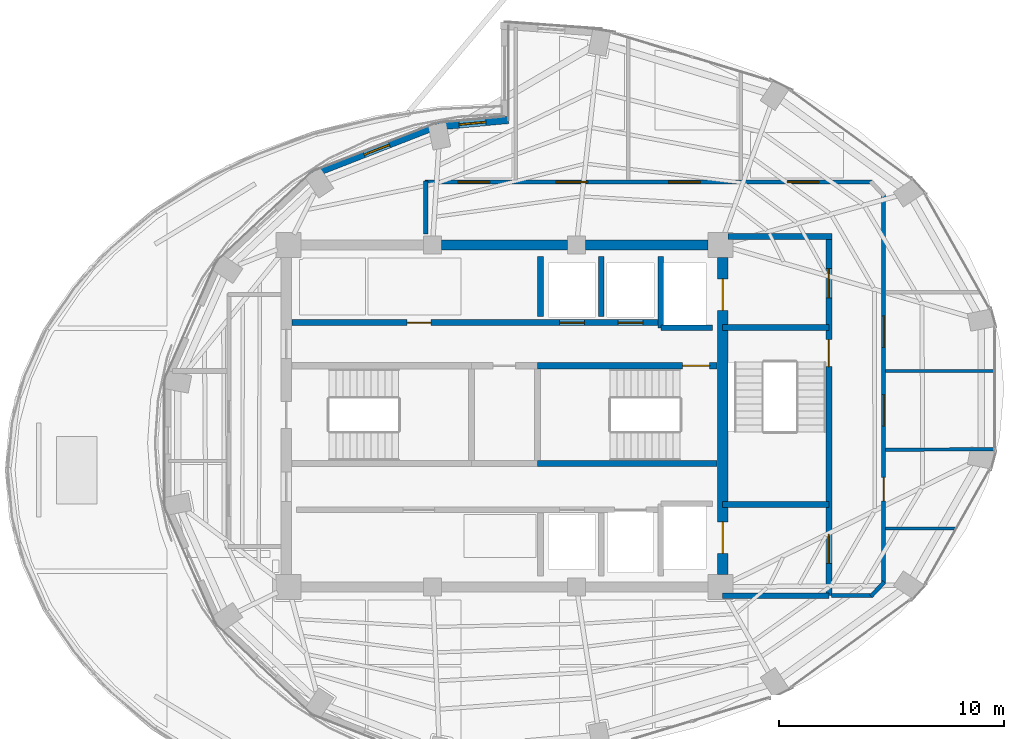
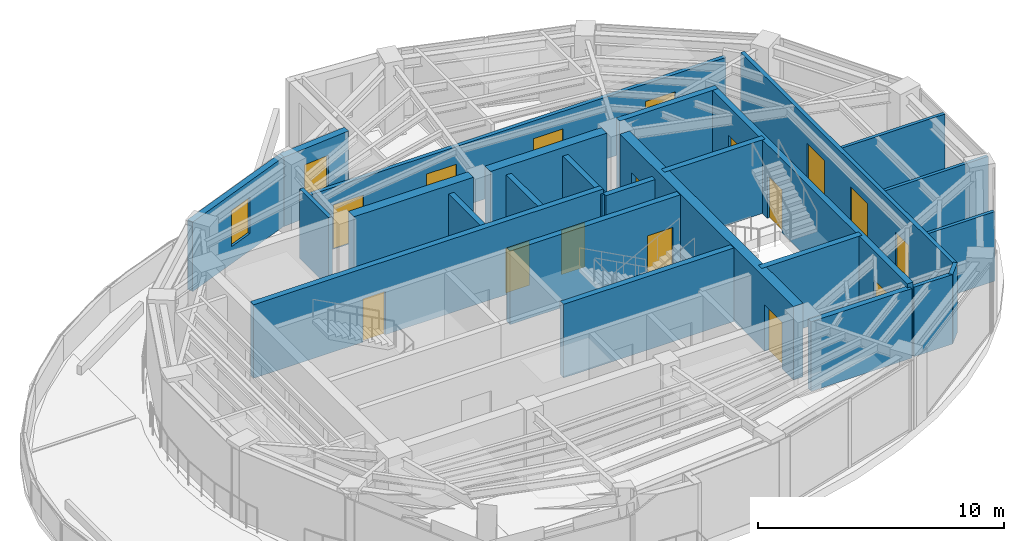
# One storey, part 10 of 15: 25 walls, 16 doors, 2 windows, 18 openings.
"""IFC4 building model written with IfcOpenShell, lengths in metres."""

from ifc_helpers import new_model, si_unit, direction, frame, frame_2d, origin, place, context, subcontext, project, spatial, rectangle, extrude, material, layer, layer_set, type_object, element, fill, save


model = new_model("IFC4")

# Units and contexts
model_context = context("Model", 3, precision=1e-05, world=origin(), true_north=direction((0.0, 1.0)))
body_context = subcontext(model_context, "Body", "Model", "MODEL_VIEW")
ifc_project = project(units=[si_unit("LENGTHUNIT", "METRE"), si_unit("AREAUNIT", "SQUARE_METRE"), si_unit("VOLUMEUNIT", "CUBIC_METRE"), si_unit("PLANEANGLEUNIT", "RADIAN"), si_unit("MASSUNIT", "GRAM", prefix="KILO")], contexts=[model_context])

# Site, building, storey
site_placement = place(None, origin())
site = spatial("IfcSite", under=ifc_project, at=site_placement, CompositionType="ELEMENT")
building_placement = place(site_placement, origin())
building = spatial("IfcBuilding", under=site, at=building_placement, Name="Lazwardi Medical Tower", CompositionType="ELEMENT")
storey_placement = place(building_placement, frame((0.0, 0.0, 269.615966796875)))
storey = spatial("IfcBuildingStorey", under=building, at=storey_placement, Name="L70", CompositionType="ELEMENT", Elevation=269.615966796875)

# Wall
ifc_material_1 = material(Name="Fire-rated gypsum board on steel stud", Category="steel")
ifc_layer_1 = layer(ifc_material_1, 0.179931640625)
ifc_layer_set_1 = layer_set([ifc_layer_1], Name="Fire-rated gypsum board on steel stud")
wall_type_1 = type_object("IfcWallType", Name="WL-COR-180", PredefinedType="PARTITIONING", material=ifc_layer_set_1)
wall_1_placement = place(storey_placement, frame((32.5, 36.090087890625, 0.0), z_axis=(0.0, 0.0, 1.0), x_axis=(0.0, 1.0, 0.0)))
element("IfcWall", 1, at=wall_1_placement, inside=storey, type_object=wall_type_1, Name="L70 Corridor partition 1", PredefinedType="PARTITIONING", context=body_context, shape_type="SweptSolid", body=[
    extrude(rectangle(XDim=2.349853515625, YDim=0.179931640625, at=frame_2d((1.1748046875, 0.0))), origin(), (0.0, 0.0, 1.0), 3.447998046875),
])

# Wall, openings, doors
wall_2_placement = place(storey_placement, frame((32.4599609375, 38.39990234375, 0.0), z_axis=(0.0, 0.0, 1.0), x_axis=(1.0, 0.0, 0.0)))
wall_2 = element("IfcWall", 2, at=wall_2_placement, inside=storey, type_object=wall_type_1, Name="L70 Corridor partition 2", PredefinedType="PARTITIONING", context=body_context, shape_type="SweptSolid", body=[
    extrude(rectangle(XDim=19.879150390625, YDim=0.179931640625, at=frame_2d((9.939453125, 0.0))), origin(), (0.0, 0.0, 1.0), 3.072998046875),
])
opening_1_placement = place(wall_2_placement, frame((16.1005859375, 0.0, 0.0)))
opening_1 = element("IfcOpeningElement", 3, at=opening_1_placement, cuts=wall_2, Name="Opening D-L70-013", PredefinedType="OPENING", context=body_context, shape_type="SweptSolid", body=[
    extrude(rectangle(XDim=1.39990234375, YDim=2.199951171875, at=frame_2d((0.699951171875, 1.10009765625))), frame((0.0, 0.099853515625, 0.0), z_axis=(0.0, -1.0, 0.0), x_axis=(1.0, 0.0, 0.0)), (0.0, 0.0, 1.0), 0.199951171875),
])
opening_2_placement = place(wall_2_placement, frame((10.840087890625, 0.0, 0.0)))
opening_2 = element("IfcOpeningElement", 4, at=opening_2_placement, cuts=wall_2, Name="Opening D-L70-014", PredefinedType="OPENING", context=body_context, shape_type="SweptSolid", body=[
    extrude(rectangle(XDim=1.39990234375, YDim=2.199951171875, at=frame_2d((0.699951171875, 1.10009765625))), frame((0.0, 0.099853515625, 0.0), z_axis=(0.0, -1.0, 0.0), x_axis=(1.0, 0.0, 0.0)), (0.0, 0.0, 1.0), 0.199951171875),
])
opening_3_placement = place(wall_2_placement, frame((5.840087890625, 0.0, 0.0)))
opening_3 = element("IfcOpeningElement", 5, at=opening_3_placement, cuts=wall_2, Name="Opening D-L70-015", PredefinedType="OPENING", context=body_context, shape_type="SweptSolid", body=[
    extrude(rectangle(XDim=1.39990234375, YDim=2.199951171875, at=frame_2d((0.699951171875, 1.10009765625))), frame((0.0, 0.099853515625, 0.0), z_axis=(0.0, -1.0, 0.0), x_axis=(1.0, 0.0, 0.0)), (0.0, 0.0, 1.0), 0.199951171875),
])
opening_4_placement = place(wall_2_placement, frame((1.47900390625, 0.0, 0.0)))
opening_4 = element("IfcOpeningElement", 6, at=opening_4_placement, cuts=wall_2, Name="Opening D-L70-016", PredefinedType="OPENING", context=body_context, shape_type="SweptSolid", body=[
    extrude(rectangle(XDim=1.39990234375, YDim=2.199951171875, at=frame_2d((0.699951171875, 1.10009765625))), frame((0.0, 0.099853515625, 0.0), z_axis=(0.0, -1.0, 0.0), x_axis=(1.0, 0.0, 0.0)), (0.0, 0.0, 1.0), 0.199951171875),
])
ifc_material_2 = material(Name="Anti-microbial laminate hospital leaf")
door_type_1 = type_object("IfcDoorType", Name="DR-BED-1400", OperationType="NOTDEFINED", PredefinedType="DOOR", material=ifc_material_2)
door_1_placement = place(opening_1_placement, origin())
door_1 = element("IfcDoor", 7, at=door_1_placement, inside=storey, type_object=door_type_1, Name="L70 Patient Bedroom Door 06", OperationType="SINGLE_SWING_LEFT", OverallHeight=2.199951171875, OverallWidth=1.39990234375, PredefinedType="DOOR", context=body_context, shape_type="SweptSolid", body=[
    extrude(rectangle(XDim=1.39990234375, YDim=2.199951171875, at=frame_2d((0.699951171875, 1.10009765625))), frame((0.0, 0.02490234375, 0.0), z_axis=(0.0, -1.0, 0.0), x_axis=(1.0, 0.0, 0.0)), (0.0, 0.0, 1.0), 0.050048828125),
])
fill(opening_1, door_1)
door_2_placement = place(opening_2_placement, origin())
door_2 = element("IfcDoor", 8, at=door_2_placement, inside=storey, type_object=door_type_1, Name="L70 Patient Bedroom Door 07", OperationType="SINGLE_SWING_RIGHT", OverallHeight=2.199951171875, OverallWidth=1.39990234375, PredefinedType="DOOR", context=body_context, shape_type="SweptSolid", body=[
    extrude(rectangle(XDim=1.39990234375, YDim=2.199951171875, at=frame_2d((0.699951171875, 1.10009765625))), frame((0.0, 0.02490234375, 0.0), z_axis=(0.0, -1.0, 0.0), x_axis=(1.0, 0.0, 0.0)), (0.0, 0.0, 1.0), 0.050048828125),
])
fill(opening_2, door_2)
door_3_placement = place(opening_3_placement, origin())
door_3 = element("IfcDoor", 9, at=door_3_placement, inside=storey, type_object=door_type_1, Name="L70 Inpatient Ward Door 08", OperationType="SINGLE_SWING_LEFT", OverallHeight=2.199951171875, OverallWidth=1.39990234375, PredefinedType="DOOR", context=body_context, shape_type="SweptSolid", body=[
    extrude(rectangle(XDim=1.39990234375, YDim=2.199951171875, at=frame_2d((0.699951171875, 1.10009765625))), frame((0.0, 0.02490234375, 0.0), z_axis=(0.0, -1.0, 0.0), x_axis=(1.0, 0.0, 0.0)), (0.0, 0.0, 1.0), 0.050048828125),
])
fill(opening_3, door_3)
door_4_placement = place(opening_4_placement, origin())
door_4 = element("IfcDoor", 10, at=door_4_placement, inside=storey, type_object=door_type_1, Name="L70 Sky Garden Lounge Door 09", OperationType="SINGLE_SWING_RIGHT", OverallHeight=2.199951171875, OverallWidth=1.39990234375, PredefinedType="DOOR", context=body_context, shape_type="SweptSolid", body=[
    extrude(rectangle(XDim=1.39990234375, YDim=2.199951171875, at=frame_2d((0.699951171875, 1.10009765625))), frame((0.0, 0.02490234375, 0.0), z_axis=(0.0, -1.0, 0.0), x_axis=(1.0, 0.0, 0.0)), (0.0, 0.0, 1.0), 0.050048828125),
])
fill(opening_4, door_4)

wall_3_placement = place(storey_placement, frame((52.85009765625, 37.85009765625, 0.0), z_axis=(0.0, 0.0, 1.0), x_axis=(0.0, -1.0, 0.0)))
wall_3 = element("IfcWall", 11, at=wall_3_placement, inside=storey, type_object=wall_type_1, Name="L70 Corridor partition 4", PredefinedType="PARTITIONING", context=body_context, shape_type="SweptSolid", body=[
    extrude(rectangle(XDim=17.30029296875, YDim=0.179931640625, at=frame_2d((8.650146484375, 0.0))), origin(), (0.0, 0.0, 1.0), 3.447998046875),
])
opening_5_placement = place(wall_3_placement, frame((12.574951171875, 0.0, 0.0)))
opening_5 = element("IfcOpeningElement", 12, at=opening_5_placement, cuts=wall_3, Name="Opening D-L70-010", PredefinedType="OPENING", context=body_context, shape_type="SweptSolid", body=[
    extrude(rectangle(XDim=1.050048828125, YDim=2.14990234375, at=frame_2d((0.52490234375, 1.074951171875))), frame((0.0, 0.099853515625, 0.0), z_axis=(0.0, -1.0, 0.0), x_axis=(1.0, 0.0, 0.0)), (0.0, 0.0, 1.0), 0.199951171875),
])
opening_6_placement = place(wall_3_placement, frame((8.89990234375, 0.0, 0.0)))
opening_6 = element("IfcOpeningElement", 13, at=opening_6_placement, cuts=wall_3, Name="Opening D-L70-011", PredefinedType="OPENING", context=body_context, shape_type="SweptSolid", body=[
    extrude(rectangle(XDim=1.39990234375, YDim=2.199951171875, at=frame_2d((0.699951171875, 1.10009765625))), frame((0.0, 0.099853515625, 0.0), z_axis=(0.0, -1.0, 0.0), x_axis=(1.0, 0.0, 0.0)), (0.0, 0.0, 1.0), 0.199951171875),
])
opening_7_placement = place(wall_3_placement, frame((5.400146484375, 0.0, 0.0)))
opening_7 = element("IfcOpeningElement", 14, at=opening_7_placement, cuts=wall_3, Name="Opening D-L70-012", PredefinedType="OPENING", context=body_context, shape_type="SweptSolid", body=[
    extrude(rectangle(XDim=1.39990234375, YDim=2.199951171875, at=frame_2d((0.699951171875, 1.10009765625))), frame((0.0, 0.099853515625, 0.0), z_axis=(0.0, -1.0, 0.0), x_axis=(1.0, 0.0, 0.0)), (0.0, 0.0, 1.0), 0.199951171875),
])
door_5_placement = place(opening_6_placement, origin())
door_5 = element("IfcDoor", 15, at=door_5_placement, inside=storey, type_object=door_type_1, Name="L70 Department Reception Foyer Door 04", OperationType="SINGLE_SWING_LEFT", OverallHeight=2.199951171875, OverallWidth=1.39990234375, PredefinedType="DOOR", context=body_context, shape_type="SweptSolid", body=[
    extrude(rectangle(XDim=1.39990234375, YDim=2.199951171875, at=frame_2d((0.699951171875, 1.10009765625))), frame((0.0, 0.02490234375, 0.0), z_axis=(0.0, -1.0, 0.0), x_axis=(1.0, 0.0, 0.0)), (0.0, 0.0, 1.0), 0.050048828125),
])
fill(opening_6, door_5)
door_6_placement = place(opening_7_placement, origin())
door_6 = element("IfcDoor", 16, at=door_6_placement, inside=storey, type_object=door_type_1, Name="L70 Outpatient Clinic Door 05", OperationType="SINGLE_SWING_RIGHT", OverallHeight=2.199951171875, OverallWidth=1.39990234375, PredefinedType="DOOR", context=body_context, shape_type="SweptSolid", body=[
    extrude(rectangle(XDim=1.39990234375, YDim=2.199951171875, at=frame_2d((0.699951171875, 1.10009765625))), frame((0.0, 0.02490234375, 0.0), z_axis=(0.0, -1.0, 0.0), x_axis=(1.0, 0.0, 0.0)), (0.0, 0.0, 1.0), 0.050048828125),
])
fill(opening_7, door_6)
door_type_2 = type_object("IfcDoorType", Name="DR-CLN-1050", OperationType="NOTDEFINED", PredefinedType="DOOR", material=ifc_material_2)
door_7_placement = place(opening_5_placement, origin())
door_7 = element("IfcDoor", 17, at=door_7_placement, inside=storey, type_object=door_type_2, Name="L70 Outpatient Clinic Door 03", OperationType="SINGLE_SWING_RIGHT", OverallHeight=2.14990234375, OverallWidth=1.050048828125, PredefinedType="DOOR", context=body_context, shape_type="SweptSolid", body=[
    extrude(rectangle(XDim=1.050048828125, YDim=2.14990234375, at=frame_2d((0.52490234375, 1.074951171875))), frame((0.0, 0.02490234375, 0.0), z_axis=(0.0, -1.0, 0.0), x_axis=(1.0, 0.0, 0.0)), (0.0, 0.0, 1.0), 0.050048828125),
])
fill(opening_5, door_7)

# Walls
wall_4_placement = place(storey_placement, frame((52.877197265625, 20.619140625, 0.0), z_axis=(0.0, 0.0, 1.0), x_axis=(-0.682409308253, -0.730970270264, 0.0)))
element("IfcWall", 18, at=wall_4_placement, inside=storey, type_object=wall_type_1, Name="L70 Corridor partition 5", PredefinedType="PARTITIONING", context=body_context, shape_type="SweptSolid", body=[
    extrude(rectangle(XDim=0.859619140625, YDim=0.179931640625, at=frame_2d((0.4296875, 0.0))), origin(), (0.0, 0.0, 1.0), 3.447998046875),
])
wall_5_placement = place(storey_placement, frame((52.35791015625, 20.02001953125, 0.0), z_axis=(0.0, 0.0, 1.0), x_axis=(-1.0, 0.0, 0.0)))
element("IfcWall", 19, at=wall_5_placement, inside=storey, type_object=wall_type_1, Name="L70 Corridor partition 6", PredefinedType="PARTITIONING", context=body_context, shape_type="SweptSolid", body=[
    extrude(rectangle(XDim=1.81787109375, YDim=0.179931640625, at=frame_2d((0.908935546875, 0.0))), origin(), (0.0, 0.0, 1.0), 3.447998046875),
])

# Wall, openings, doors
ifc_material_3 = material(Name="Concrete C60/75", Category="concrete")
ifc_layer_2 = layer(ifc_material_3, 0.449951171875)
ifc_layer_set_2 = layer_set([ifc_layer_2], Name="Concrete C60/75")
wall_type_2 = type_object("IfcWallType", Name="WL-CORE-450", PredefinedType="SHEAR", material=ifc_layer_set_2)
wall_6_placement = place(storey_placement, frame((45.699951171875, 20.949951171875, 0.0), z_axis=(0.0, 0.0, 1.0), x_axis=(0.0, 1.0, 0.0)))
wall_6 = element("IfcWall", 20, at=wall_6_placement, inside=storey, type_object=wall_type_2, Name="Core wall CW-S4 east L70", PredefinedType="SHEAR", context=body_context, shape_type="SweptSolid", body=[
    extrude(rectangle(XDim=14.10009765625, YDim=0.449951171875, at=frame_2d((7.050048828125, 0.0))), origin(), (0.0, 0.0, 1.0), 3.64794921875),
])
opening_8_placement = place(wall_6_placement, frame((11.75, 0.0, 0.0)))
opening_8 = element("IfcOpeningElement", 21, at=opening_8_placement, cuts=wall_6, Name="Opening LD-L70-001", PredefinedType="OPENING", context=body_context, shape_type="SweptSolid", body=[
    extrude(rectangle(XDim=1.39990234375, YDim=2.300048828125, at=frame_2d((0.699951171875, 1.14990234375))), frame((0.0, 0.23486328125, 0.0), z_axis=(0.0, -1.0, 0.0), x_axis=(1.0, 0.0, 0.0)), (0.0, 0.0, 1.0), 0.469970703125),
])
opening_9_placement = place(wall_6_placement, frame((0.949951171875, 0.0, 0.0)))
opening_9 = element("IfcOpeningElement", 22, at=opening_9_placement, cuts=wall_6, Name="Opening LD-L70-002", PredefinedType="OPENING", context=body_context, shape_type="SweptSolid", body=[
    extrude(rectangle(XDim=1.39990234375, YDim=2.300048828125, at=frame_2d((0.699951171875, 1.14990234375))), frame((0.0, 0.23486328125, 0.0), z_axis=(0.0, -1.0, 0.0), x_axis=(1.0, 0.0, 0.0)), (0.0, 0.0, 1.0), 0.469970703125),
])
ifc_material_4 = material(Name="Brushed stainless steel bed-lift landing door", Category="steel")
door_type_3 = type_object("IfcDoorType", Name="DR-LFT-1400", OperationType="NOTDEFINED", PredefinedType="DOOR", material=ifc_material_4)
door_8_placement = place(opening_8_placement, origin())
door_8 = element("IfcDoor", 23, at=door_8_placement, inside=storey, type_object=door_type_3, Name="L70 Lift Landing Door FL-01", OperationType="SLIDING_TO_LEFT", OverallHeight=2.300048828125, OverallWidth=1.39990234375, PredefinedType="DOOR", context=body_context, shape_type="SweptSolid", body=[
    extrude(rectangle(XDim=1.39990234375, YDim=2.300048828125, at=frame_2d((0.699951171875, 1.14990234375))), frame((0.0, 0.02490234375, 0.0), z_axis=(0.0, -1.0, 0.0), x_axis=(1.0, 0.0, 0.0)), (0.0, 0.0, 1.0), 0.050048828125),
])
fill(opening_8, door_8)
door_9_placement = place(opening_9_placement, origin())
door_9 = element("IfcDoor", 24, at=door_9_placement, inside=storey, type_object=door_type_3, Name="L70 Lift Landing Door FL-02", OperationType="SLIDING_TO_LEFT", OverallHeight=2.300048828125, OverallWidth=1.39990234375, PredefinedType="DOOR", context=body_context, shape_type="SweptSolid", body=[
    extrude(rectangle(XDim=1.39990234375, YDim=2.300048828125, at=frame_2d((0.699951171875, 1.14990234375))), frame((0.0, 0.02490234375, 0.0), z_axis=(0.0, -1.0, 0.0), x_axis=(1.0, 0.0, 0.0)), (0.0, 0.0, 1.0), 0.050048828125),
])
fill(opening_9, door_9)

# Walls
wall_7_placement = place(storey_placement, frame((33.199951171875, 35.60009765625, 0.0), z_axis=(0.0, 0.0, 1.0), x_axis=(1.0, 0.0, 0.0)))
element("IfcWall", 25, at=wall_7_placement, inside=storey, type_object=wall_type_2, Name="Core wall CW-S4 N2 L70", PredefinedType="SHEAR", context=body_context, shape_type="SweptSolid", body=[
    extrude(rectangle(XDim=5.60009765625, YDim=0.449951171875, at=frame_2d((2.800048828125, 0.0))), origin(), (0.0, 0.0, 1.0), 3.64794921875),
])
wall_8_placement = place(storey_placement, frame((39.60009765625, 35.60009765625, 0.0), z_axis=(0.0, 0.0, 1.0), x_axis=(1.0, 0.0, 0.0)))
element("IfcWall", 26, at=wall_8_placement, inside=storey, type_object=wall_type_2, Name="Core wall CW-S4 N3 L70", PredefinedType="SHEAR", context=body_context, shape_type="SweptSolid", body=[
    extrude(rectangle(XDim=5.449951171875, YDim=0.449951171875, at=frame_2d((2.72509765625, 0.0))), origin(), (0.0, 0.0, 1.0), 3.64794921875),
])

# Wall, opening, window
ifc_material_5 = material(Name="Precast concrete C45/55", Category="concrete")
ifc_layer_3 = layer(ifc_material_5, 0.280029296875)
ifc_layer_set_3 = layer_set([ifc_layer_3], Name="Precast concrete C45/55")
wall_type_3 = type_object("IfcWallType", Name="WL-DRUM-280", PredefinedType="SOLIDWALL", material=ifc_layer_set_3)
wall_9_placement = place(storey_placement, frame((33.227783203125, 40.964111328125, 0.0), z_axis=(0.0, 0.0, 1.0), x_axis=(-0.931716550814, -0.36318627306, 0.0)))
wall_9 = element("IfcWall", 27, at=wall_9_placement, inside=storey, type_object=wall_type_3, Name="L70 West Drum Precast Wall 1", PredefinedType="SOLIDWALL", context=body_context, shape_type="SweptSolid", body=[
    extrude(rectangle(XDim=6.22412109375, YDim=0.280029296875, at=frame_2d((3.112060546875, 0.0))), origin(), (0.0, 0.0, 1.0), 3.447998046875),
])
opening_10_placement = place(wall_9_placement, frame((2.511962890625, 0.0, 0.85009765625)))
opening_10 = element("IfcOpeningElement", 28, at=opening_10_placement, cuts=wall_9, Name="Opening WN-04", PredefinedType="OPENING", context=body_context, shape_type="SweptSolid", body=[
    extrude(rectangle(XDim=1.199951171875, YDim=1.800048828125, at=frame_2d((0.60009765625, 0.89990234375))), frame((0.0, 0.14990234375, 0.0), z_axis=(0.0, -1.0, 0.0), x_axis=(1.0, 0.0, 0.0)), (0.0, 0.0, 1.0), 0.300048828125),
])
ifc_material_6 = material(Name="Low-e bronze solar control double glazing", Category="glass")
window_type = type_object("IfcWindowType", Name="WIN-DRUM-1200", PartitioningType="SINGLE_PANEL", PredefinedType="WINDOW", material=ifc_material_6)
window_1_placement = place(opening_10_placement, origin())
window_1 = element("IfcWindow", 29, at=window_1_placement, inside=storey, type_object=window_type, Name="L70 West Drum Window 1", OverallHeight=1.800048828125, OverallWidth=1.199951171875, PartitioningType="SINGLE_PANEL", PredefinedType="WINDOW", context=body_context, shape_type="SweptSolid", body=[
    extrude(rectangle(XDim=1.199951171875, YDim=1.800048828125, at=frame_2d((0.60009765625, 0.89990234375))), frame((0.0, 0.030029296875, 0.0), z_axis=(0.0, -1.0, 0.0), x_axis=(1.0, 0.0, 0.0)), (0.0, 0.0, 1.0), 0.06005859375),
])
fill(opening_10, window_1)

ifc_layer_4 = layer(ifc_material_5, 0.320068359375)
ifc_layer_set_4 = layer_set([ifc_layer_4], Name="Precast concrete C45/55")
wall_type_4 = type_object("IfcWallType", Name="WL-IWAN-320", PredefinedType="SOLIDWALL", material=ifc_layer_set_4)
wall_10_placement = place(storey_placement, frame((36.178955078125, 41.156494140625, 0.0), z_axis=(0.0, 0.0, 1.0), x_axis=(-0.995736155144, -0.092247001792, 0.0)))
wall_10 = element("IfcWall", 30, at=wall_10_placement, inside=storey, type_object=wall_type_4, Name="L70 Iwan Portal Return Wall NW_ret", PredefinedType="SOLIDWALL", context=body_context, shape_type="SweptSolid", body=[
    extrude(rectangle(XDim=3.215576171875, YDim=0.320068359375, at=frame_2d((1.60791015625, 0.0))), origin(), (0.0, 0.0, 1.0), 3.447998046875),
])
opening_11_placement = place(wall_10_placement, frame((1.0078125, 0.0, 0.85009765625)))
opening_11 = element("IfcOpeningElement", 31, at=opening_11_placement, cuts=wall_10, Name="Opening WN-04", PredefinedType="OPENING", context=body_context, shape_type="SweptSolid", body=[
    extrude(rectangle(XDim=1.199951171875, YDim=1.800048828125, at=frame_2d((0.60009765625, 0.89990234375))), frame((0.0, 0.169921875, 0.0), z_axis=(0.0, -1.0, 0.0), x_axis=(1.0, 0.0, 0.0)), (0.0, 0.0, 1.0), 0.340087890625),
])
window_2_placement = place(opening_11_placement, origin())
window_2 = element("IfcWindow", 32, at=window_2_placement, inside=storey, type_object=window_type, Name="L70 Iwan Slot Window NW_ret", OverallHeight=1.800048828125, OverallWidth=1.199951171875, PartitioningType="SINGLE_PANEL", PredefinedType="WINDOW", context=body_context, shape_type="SweptSolid", body=[
    extrude(rectangle(XDim=1.199951171875, YDim=1.800048828125, at=frame_2d((0.60009765625, 0.89990234375))), frame((0.0, 0.030029296875, 0.0), z_axis=(0.0, -1.0, 0.0), x_axis=(1.0, 0.0, 0.0)), (0.0, 0.0, 1.0), 0.06005859375),
])
fill(opening_11, window_2)

# Walls
ifc_material_7 = material(Name="Autoclaved aerated concrete blockwork", Category="masonry")
ifc_layer_5 = layer(ifc_material_7, 0.25)
ifc_layer_set_5 = layer_set([ifc_layer_5], Name="Autoclaved aerated concrete blockwork")
wall_type_5 = type_object("IfcWallType", Name="WL-SHAFT-250", PredefinedType="SOLIDWALL", material=ifc_layer_set_5)
wall_11_placement = place(storey_placement, frame((42.949951171875, 31.919921875, 0.0), z_axis=(0.0, 0.0, 1.0), x_axis=(0.0, 1.0, 0.0)))
element("IfcWall", 33, at=wall_11_placement, inside=storey, type_object=wall_type_5, Name="L70 FL-01 West shaft wall", PredefinedType="SOLIDWALL", context=body_context, shape_type="SweptSolid", body=[
    extrude(rectangle(XDim=3.18017578125, YDim=0.25, at=frame_2d((1.590087890625, 0.0))), origin(), (0.0, 0.0, 1.0), 3.447998046875),
])
wall_12_placement = place(storey_placement, frame((42.949951171875, 31.919921875, 0.0), z_axis=(0.0, 0.0, 1.0), x_axis=(1.0, 0.0, 0.0)))
element("IfcWall", 34, at=wall_12_placement, inside=storey, type_object=wall_type_5, Name="L70 FL-01 South shaft wall", PredefinedType="SOLIDWALL", context=body_context, shape_type="SweptSolid", body=[
    extrude(rectangle(XDim=2.300048828125, YDim=0.25, at=frame_2d((1.14990234375, 0.0))), origin(), (0.0, 0.0, 1.0), 3.447998046875),
])
for number, where, z_axis, x_axis, name in (
    (35, (37.60009765625, 32.419921875, 0.0), (0.0, 0.0, 1.0), (0.0, 1.0, 0.0), "L70 North hoistway divider"),
    (36, (40.300048828125, 32.419921875, 0.0), (0.0, 0.0, 1.0), (0.0, 1.0, 0.0), "L70 North hoistway divider"),
):
    element("IfcWall", number, at=place(storey_placement, frame(where, z_axis=z_axis, x_axis=x_axis)), inside=storey, type_object=wall_type_5, Name=name, PredefinedType="SOLIDWALL", context=body_context, shape_type="SweptSolid", body=[
        extrude(rectangle(XDim=2.68017578125, YDim=0.25, at=frame_2d((1.340087890625, 0.0))), origin(), (0.0, 0.0, 1.0), 3.447998046875),
    ])
wall_13_placement = place(storey_placement, frame((45.699951171875, 20.02001953125, 0.0), z_axis=(0.0, 0.0, 1.0), x_axis=(1.0, 0.0, 0.0)))
element("IfcWall", 37, at=wall_13_placement, inside=storey, type_object=wall_type_5, Name="L70 FFL-S South wall", PredefinedType="SOLIDWALL", context=body_context, shape_type="SweptSolid", body=[
    extrude(rectangle(XDim=4.715087890625, YDim=0.25, at=frame_2d((2.357421875, 0.0))), origin(), (0.0, 0.0, 1.0), 3.447998046875),
])

# Wall, opening, door
ifc_material_8 = material(Name="Concrete C50/60", Category="concrete")
ifc_layer_6 = layer(ifc_material_8, 0.27001953125)
ifc_layer_set_6 = layer_set([ifc_layer_6], Name="Concrete C50/60")
wall_type_6 = type_object("IfcWallType", Name="WL-STR-250", PredefinedType="SHEAR", material=ifc_layer_set_6)
wall_14_placement = place(storey_placement, frame((37.465087890625, 30.235107421875, 0.0), z_axis=(0.0, 0.0, 1.0), x_axis=(1.0, 0.0, 0.0)))
wall_14 = element("IfcWall", 38, at=wall_14_placement, inside=storey, type_object=wall_type_6, Name="L70 ST2 North shear shaft wall SW-S1", PredefinedType="SHEAR", context=body_context, shape_type="SweptSolid", body=[
    extrude(rectangle(XDim=7.98486328125, YDim=0.27001953125, at=frame_2d((3.992431640625, 0.0))), origin(), (0.0, 0.0, 1.0), 3.64794921875),
])
opening_12_placement = place(wall_14_placement, frame((6.455078125, 0.0, 0.0)))
opening_12 = element("IfcOpeningElement", 39, at=opening_12_placement, cuts=wall_14, Name="Opening D-L70-018", PredefinedType="OPENING", context=body_context, shape_type="SweptSolid", body=[
    extrude(rectangle(XDim=1.199951171875, YDim=2.14990234375, at=frame_2d((0.60009765625, 1.074951171875))), frame((0.0, 0.14501953125, 0.0), z_axis=(0.0, -1.0, 0.0), x_axis=(1.0, 0.0, 0.0)), (0.0, 0.0, 1.0), 0.2900390625),
])
ifc_material_9 = material(Name="Fire-rated steel leaf and frame", Category="steel")
door_type_4 = type_object("IfcDoorType", Name="DR-STR-1200", OperationType="NOTDEFINED", PredefinedType="DOOR", material=ifc_material_9)
door_10_placement = place(opening_12_placement, origin())
door_10 = element("IfcDoor", 40, at=door_10_placement, inside=storey, type_object=door_type_4, Name="L70 Exit Stair ST2 Door", OperationType="SINGLE_SWING_LEFT", OverallHeight=2.14990234375, OverallWidth=1.199951171875, PredefinedType="DOOR", context=body_context, shape_type="SweptSolid", body=[
    extrude(rectangle(XDim=1.199951171875, YDim=2.14990234375, at=frame_2d((0.60009765625, 1.074951171875))), frame((0.0, 0.02490234375, 0.0), z_axis=(0.0, -1.0, 0.0), x_axis=(1.0, 0.0, 0.0)), (0.0, 0.0, 1.0), 0.050048828125),
])
fill(opening_12, door_10)

# Wall
wall_15_placement = place(storey_placement, frame((37.465087890625, 25.885009765625, 0.0), z_axis=(0.0, 0.0, 1.0), x_axis=(1.0, 0.0, 0.0)))
element("IfcWall", 41, at=wall_15_placement, inside=storey, type_object=wall_type_6, Name="L70 ST2 South shear shaft wall SW-S1", PredefinedType="SHEAR", context=body_context, shape_type="SweptSolid", body=[
    extrude(rectangle(XDim=7.98486328125, YDim=0.27001953125, at=frame_2d((3.992431640625, 0.0))), origin(), (0.0, 0.0, 1.0), 3.64794921875),
])

# Wall, openings, doors
wall_16_placement = place(storey_placement, frame((26.550048828125, 32.14990234375, 0.0), z_axis=(0.0, 0.0, 1.0), x_axis=(1.0, 0.0, 0.0)))
wall_16 = element("IfcWall", 42, at=wall_16_placement, inside=storey, type_object=wall_type_6, Name="L70 North lift bank shear wall SW-S1", PredefinedType="SHEAR", context=body_context, shape_type="SweptSolid", body=[
    extrude(rectangle(XDim=16.39990234375, YDim=0.27001953125, at=frame_2d((8.199951171875, 0.0))), origin(), (0.0, 0.0, 1.0), 3.64794921875),
])
opening_13_placement = place(wall_16_placement, frame((5.125, 0.0, 0.0)))
opening_13 = element("IfcOpeningElement", 43, at=opening_13_placement, cuts=wall_16, Name="Opening D-L70-002", PredefinedType="OPENING", context=body_context, shape_type="SweptSolid", body=[
    extrude(rectangle(XDim=1.050048828125, YDim=2.14990234375, at=frame_2d((0.52490234375, 1.074951171875))), frame((0.0, 0.14501953125, 0.0), z_axis=(0.0, -1.0, 0.0), x_axis=(1.0, 0.0, 0.0)), (0.0, 0.0, 1.0), 0.2900390625),
])
opening_14_placement = place(wall_16_placement, frame((11.89990234375, 0.0, 0.0)))
opening_14 = element("IfcOpeningElement", 44, at=opening_14_placement, cuts=wall_16, Name="Opening LD-L70-004", PredefinedType="OPENING", context=body_context, shape_type="SweptSolid", body=[
    extrude(rectangle(XDim=1.10009765625, YDim=2.199951171875, at=frame_2d((0.550048828125, 1.10009765625))), frame((0.0, 0.14501953125, 0.0), z_axis=(0.0, -1.0, 0.0), x_axis=(1.0, 0.0, 0.0)), (0.0, 0.0, 1.0), 0.2900390625),
])
opening_15_placement = place(wall_16_placement, frame((14.5, 0.0, 0.0)))
opening_15 = element("IfcOpeningElement", 45, at=opening_15_placement, cuts=wall_16, Name="Opening LD-L70-005", PredefinedType="OPENING", context=body_context, shape_type="SweptSolid", body=[
    extrude(rectangle(XDim=1.10009765625, YDim=2.199951171875, at=frame_2d((0.550048828125, 1.10009765625))), frame((0.0, 0.14501953125, 0.0), z_axis=(0.0, -1.0, 0.0), x_axis=(1.0, 0.0, 0.0)), (0.0, 0.0, 1.0), 0.2900390625),
])
door_11_placement = place(opening_13_placement, origin())
door_11 = element("IfcDoor", 46, at=door_11_placement, inside=storey, type_object=door_type_2, Name="L70 Core North Suite Door", OperationType="SINGLE_SWING_LEFT", OverallHeight=2.14990234375, OverallWidth=1.050048828125, PredefinedType="DOOR", context=body_context, shape_type="SweptSolid", body=[
    extrude(rectangle(XDim=1.050048828125, YDim=2.14990234375, at=frame_2d((0.52490234375, 1.074951171875))), frame((0.0, 0.02490234375, 0.0), z_axis=(0.0, -1.0, 0.0), x_axis=(1.0, 0.0, 0.0)), (0.0, 0.0, 1.0), 0.050048828125),
])
fill(opening_13, door_11)
ifc_material_10 = material(Name="Brushed bronze stainless steel landing door", Category="steel")
door_type_5 = type_object("IfcDoorType", Name="DR-LFT-1100", OperationType="NOTDEFINED", PredefinedType="DOOR", material=ifc_material_10)
door_12_placement = place(opening_14_placement, origin())
door_12 = element("IfcDoor", 47, at=door_12_placement, inside=storey, type_object=door_type_5, Name="L70 Lift Landing Door PL-09", OperationType="SLIDING_TO_LEFT", OverallHeight=2.199951171875, OverallWidth=1.10009765625, PredefinedType="DOOR", context=body_context, shape_type="SweptSolid", body=[
    extrude(rectangle(XDim=1.10009765625, YDim=2.199951171875, at=frame_2d((0.550048828125, 1.10009765625))), frame((0.0, 0.02490234375, 0.0), z_axis=(0.0, -1.0, 0.0), x_axis=(1.0, 0.0, 0.0)), (0.0, 0.0, 1.0), 0.050048828125),
])
fill(opening_14, door_12)
door_13_placement = place(opening_15_placement, origin())
door_13 = element("IfcDoor", 48, at=door_13_placement, inside=storey, type_object=door_type_5, Name="L70 Lift Landing Door PL-10", OperationType="SLIDING_TO_LEFT", OverallHeight=2.199951171875, OverallWidth=1.10009765625, PredefinedType="DOOR", context=body_context, shape_type="SweptSolid", body=[
    extrude(rectangle(XDim=1.10009765625, YDim=2.199951171875, at=frame_2d((0.550048828125, 1.10009765625))), frame((0.0, 0.02490234375, 0.0), z_axis=(0.0, -1.0, 0.0), x_axis=(1.0, 0.0, 0.0)), (0.0, 0.0, 1.0), 0.050048828125),
])
fill(opening_15, door_13)

wall_17_placement = place(storey_placement, frame((50.4150390625, 35.844970703125, 0.0), z_axis=(0.0, 0.0, 1.0), x_axis=(0.0, -1.0, 0.0)))
wall_17 = element("IfcWall", 49, at=wall_17_placement, inside=storey, type_object=wall_type_6, Name="L70 East ST3 & FFL shear wall SW-S1", PredefinedType="SHEAR", context=body_context, shape_type="SweptSolid", body=[
    extrude(rectangle(XDim=15.824951171875, YDim=0.27001953125, at=frame_2d((7.91259765625, 0.0))), origin(), (0.0, 0.0, 1.0), 3.64794921875),
])
opening_16_placement = place(wall_17_placement, frame((4.445068359375, 0.0, 0.0)))
opening_16 = element("IfcOpeningElement", 50, at=opening_16_placement, cuts=wall_17, Name="Opening D-L70-019", PredefinedType="OPENING", context=body_context, shape_type="SweptSolid", body=[
    extrude(rectangle(XDim=1.199951171875, YDim=2.14990234375, at=frame_2d((0.60009765625, 1.074951171875))), frame((0.0, 0.14501953125, 0.0), z_axis=(0.0, -1.0, 0.0), x_axis=(1.0, 0.0, 0.0)), (0.0, 0.0, 1.0), 0.2900390625),
])
opening_17_placement = place(wall_17_placement, frame((1.294921875, 0.0, 0.0)))
opening_17 = element("IfcOpeningElement", 51, at=opening_17_placement, cuts=wall_17, Name="Opening D-L70-004", PredefinedType="OPENING", context=body_context, shape_type="SweptSolid", body=[
    extrude(rectangle(XDim=1.300048828125, YDim=2.199951171875, at=frame_2d((0.64990234375, 1.10009765625))), frame((0.0, 0.14501953125, 0.0), z_axis=(0.0, -1.0, 0.0), x_axis=(1.0, 0.0, 0.0)), (0.0, 0.0, 1.0), 0.2900390625),
])
opening_18_placement = place(wall_17_placement, frame((13.094970703125, 0.0, 0.0)))
opening_18 = element("IfcOpeningElement", 52, at=opening_18_placement, cuts=wall_17, Name="Opening D-L70-005", PredefinedType="OPENING", context=body_context, shape_type="SweptSolid", body=[
    extrude(rectangle(XDim=1.300048828125, YDim=2.199951171875, at=frame_2d((0.64990234375, 1.10009765625))), frame((0.0, 0.14501953125, 0.0), z_axis=(0.0, -1.0, 0.0), x_axis=(1.0, 0.0, 0.0)), (0.0, 0.0, 1.0), 0.2900390625),
])
door_type_6 = type_object("IfcDoorType", Name="DR-FFL-1300", OperationType="NOTDEFINED", PredefinedType="DOOR", material=ifc_material_9)
door_14_placement = place(opening_17_placement, origin())
door_14 = element("IfcDoor", 53, at=door_14_placement, inside=storey, type_object=door_type_6, Name="L70 Fire-Fighting Lobby North Door", OperationType="SINGLE_SWING_RIGHT", OverallHeight=2.199951171875, OverallWidth=1.300048828125, PredefinedType="DOOR", context=body_context, shape_type="SweptSolid", body=[
    extrude(rectangle(XDim=1.300048828125, YDim=2.199951171875, at=frame_2d((0.64990234375, 1.10009765625))), frame((0.0, 0.02490234375, 0.0), z_axis=(0.0, -1.0, 0.0), x_axis=(1.0, 0.0, 0.0)), (0.0, 0.0, 1.0), 0.050048828125),
])
fill(opening_17, door_14)
door_15_placement = place(opening_18_placement, origin())
door_15 = element("IfcDoor", 54, at=door_15_placement, inside=storey, type_object=door_type_6, Name="L70 Fire-Fighting Lobby South Door", OperationType="SINGLE_SWING_LEFT", OverallHeight=2.199951171875, OverallWidth=1.300048828125, PredefinedType="DOOR", context=body_context, shape_type="SweptSolid", body=[
    extrude(rectangle(XDim=1.300048828125, YDim=2.199951171875, at=frame_2d((0.64990234375, 1.10009765625))), frame((0.0, 0.02490234375, 0.0), z_axis=(0.0, -1.0, 0.0), x_axis=(1.0, 0.0, 0.0)), (0.0, 0.0, 1.0), 0.050048828125),
])
fill(opening_18, door_15)
door_16_placement = place(opening_16_placement, origin())
door_16 = element("IfcDoor", 55, at=door_16_placement, inside=storey, type_object=door_type_4, Name="L70 Exit Stair ST3 Door", OperationType="SINGLE_SWING_LEFT", OverallHeight=2.14990234375, OverallWidth=1.199951171875, PredefinedType="DOOR", context=body_context, shape_type="SweptSolid", body=[
    extrude(rectangle(XDim=1.199951171875, YDim=2.14990234375, at=frame_2d((0.60009765625, 1.074951171875))), frame((0.0, 0.02490234375, 0.0), z_axis=(0.0, -1.0, 0.0), x_axis=(1.0, 0.0, 0.0)), (0.0, 0.0, 1.0), 0.050048828125),
])
fill(opening_16, door_16)

# Walls
wall_18_placement = place(storey_placement, frame((45.925048828125, 35.97998046875, 0.0), z_axis=(0.0, 0.0, 1.0), x_axis=(1.0, 0.0, 0.0)))
element("IfcWall", 56, at=wall_18_placement, inside=storey, type_object=wall_type_6, Name="L70 FFL-N North shear wall SW-S1", PredefinedType="SHEAR", context=body_context, shape_type="SweptSolid", body=[
    extrude(rectangle(XDim=4.625, YDim=0.27001953125, at=frame_2d((2.3125, 0.0))), origin(), (0.0, 0.0, 1.0), 3.64794921875),
])
for number, where, z_axis, x_axis, name in (
    (57, (45.699951171875, 31.93505859375, 0.0), (0.0, 0.0, 1.0), (1.0, 0.0, 0.0), "L70 ST3 North shear shaft wall SW-S1"),
    (58, (45.699951171875, 24.06494140625, 0.0), (0.0, 0.0, 1.0), (1.0, 0.0, 0.0), "L70 ST3 South shear shaft wall SW-S1"),
):
    element("IfcWall", number, at=place(storey_placement, frame(where, z_axis=z_axis, x_axis=x_axis)), inside=storey, type_object=wall_type_6, Name=name, PredefinedType="SHEAR", context=body_context, shape_type="SweptSolid", body=[
        extrude(rectangle(XDim=4.715087890625, YDim=0.27001953125, at=frame_2d((2.357421875, 0.0))), origin(), (0.0, 0.0, 1.0), 3.64794921875),
    ])
ifc_material_11 = material(Name="Acoustic gypsum board partition")
ifc_layer_7 = layer(ifc_material_11, 0.14990234375)
ifc_layer_set_7 = layer_set([ifc_layer_7], Name="Acoustic gypsum board partition")
wall_type_7 = type_object("IfcWallType", Name="WL-WRD-150", PredefinedType="PARTITIONING", material=ifc_layer_set_7)
wall_19_placement = place(storey_placement, frame((52.93994140625, 23.0, 0.0), z_axis=(0.0, 0.0, 1.0), x_axis=(1.0, 0.0, 0.0)))
element("IfcWall", 59, at=wall_19_placement, inside=storey, type_object=wall_type_7, Name="L70 Room partition 3", PredefinedType="PARTITIONING", context=body_context, shape_type="SweptSolid", body=[
    extrude(rectangle(XDim=3.125732421875, YDim=0.14990234375, at=frame_2d((1.56298828125, 0.0))), origin(), (0.0, 0.0, 1.0), 3.447998046875),
])
wall_20_placement = place(storey_placement, frame((52.93994140625, 26.50048828125, 0.0), z_axis=(0.0, 0.0, 1.0), x_axis=(0.999987566883, 0.004986589892, 0.0)))
element("IfcWall", 60, at=wall_20_placement, inside=storey, type_object=wall_type_7, Name="L70 Room partition 4", PredefinedType="PARTITIONING", context=body_context, shape_type="SweptSolid", body=[
    extrude(rectangle(XDim=4.846923828125, YDim=0.14990234375, at=frame_2d((2.42333984375, 0.0))), origin(), (0.0, 0.0, 1.0), 3.447998046875),
])
wall_21_placement = place(storey_placement, frame((52.93994140625, 30.0, 0.0), z_axis=(0.0, 0.0, 1.0), x_axis=(1.0, 0.0, 0.0)))
element("IfcWall", 61, at=wall_21_placement, inside=storey, type_object=wall_type_7, Name="L70 Room partition 5", PredefinedType="PARTITIONING", context=body_context, shape_type="SweptSolid", body=[
    extrude(rectangle(XDim=4.831787109375, YDim=0.14990234375, at=frame_2d((2.416015625, 0.0))), origin(), (0.0, 0.0, 1.0), 3.447998046875),
])

save(model, "model.ifc")
